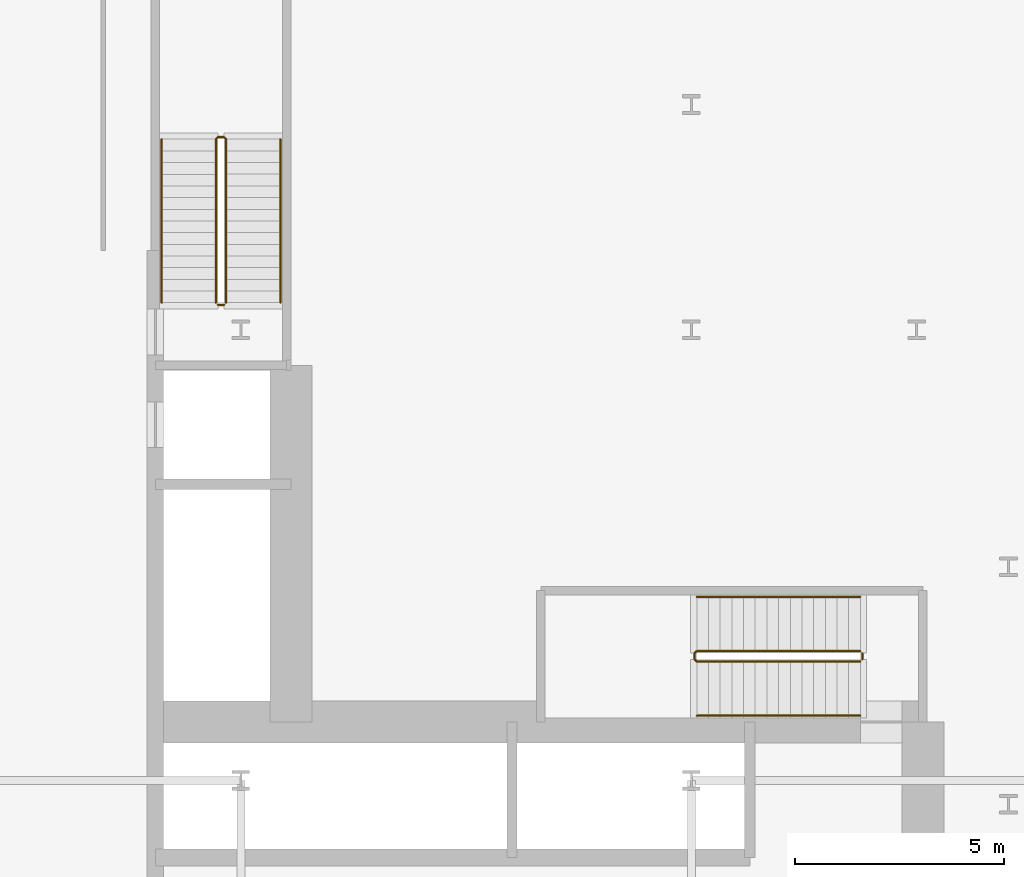
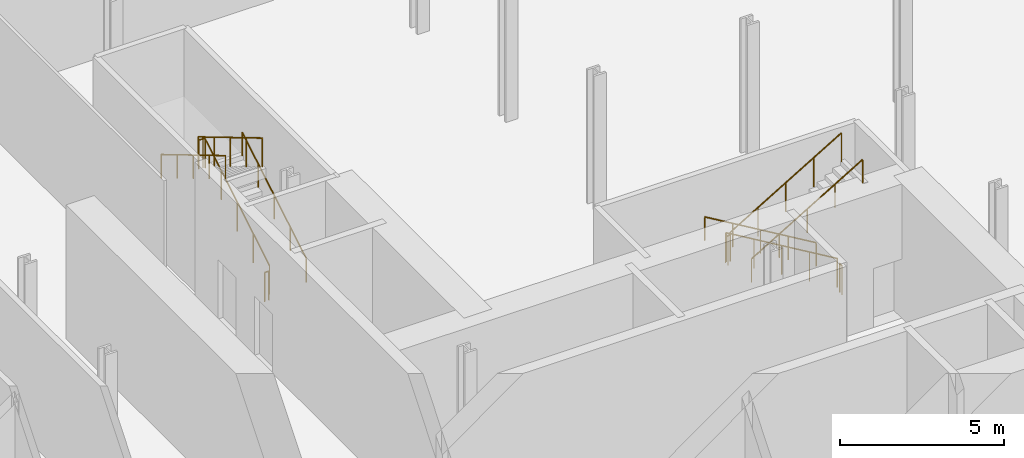
# One storey, part 39 of 47: 8 railings.
"""IFC4 building model written with IfcOpenShell, lengths in metres."""

from ifc_helpers import new_model, si_unit, direction, frame, origin, origin_2d, place, context, subcontext, project, spatial, circle, extrude, material, type_object, element, save


model = new_model("IFC4")

# Units and contexts
model_context = context("Model", 3, precision=1e-05, world=origin(), true_north=direction((0.0, 1.0)))
body_context = subcontext(model_context, "Body", "Model", "MODEL_VIEW")
ifc_project = project(units=[si_unit("LENGTHUNIT", "METRE"), si_unit("AREAUNIT", "SQUARE_METRE"), si_unit("VOLUMEUNIT", "CUBIC_METRE"), si_unit("PLANEANGLEUNIT", "RADIAN"), si_unit("MASSUNIT", "GRAM", prefix="KILO")], contexts=[model_context])

# Site, building, storey
site_placement = place(None, origin())
site = spatial("IfcSite", under=ifc_project, at=site_placement, CompositionType="ELEMENT")
building_placement = place(site_placement, origin())
building = spatial("IfcBuilding", under=site, at=building_placement, Name="Kheshtan School and Residences Tower", CompositionType="ELEMENT")
storey_placement = place(building_placement, frame((0.0, 0.0, 7.5)))
storey = spatial("IfcBuildingStorey", under=building, at=storey_placement, Name="L01", CompositionType="ELEMENT", Elevation=7.5)

# Railings
ifc_material_1 = material(Name="Stainless steel balustrade", Category="steel")
railing_type_1 = type_object("IfcRailingType", Name="Stair guard 1100", PredefinedType="GUARDRAIL", material=ifc_material_1)
railing_1_placement = place(storey_placement, frame((51.64990234375, 37.89990234375, 0.166748046875)))
element("IfcRailing", 1, at=railing_1_placement, inside=storey, type_object=railing_type_1, Name="L01 ST1 stair guard 1", PredefinedType="GUARDRAIL", context=body_context, shape_type="SweptSolid", body=[
    extrude(circle(Radius=0.02392578125, at=origin_2d()), frame((0.0, 0.0, 1.076171875), z_axis=(-0.859296244711, 0.0, 0.511478214419), x_axis=(0.0, -1.0, 0.0)), (0.0, 0.0, 1.0), 4.561767578125),
    extrude(circle(Radius=0.02392578125, at=origin_2d()), frame((-3.919921875, 0.0, 3.4091796875), z_axis=(-0.708833529934, -0.705375805398, 0.0), x_axis=(0.705375805398, -0.708833529934, 0.0)), (0.0, 0.0, 1.0), 0.070556640625),
    extrude(circle(Radius=0.02392578125, at=origin_2d()), frame((-3.969970703125, -0.0498046875, 3.4091796875), z_axis=(0.0, -1.0, 0.0), x_axis=(1.0, 0.0, 0.0)), (0.0, 0.0, 1.0), 0.150146484375),
    extrude(circle(Radius=0.02392578125, at=origin_2d()), frame((-3.969970703125, -0.199951171875, 3.4091796875), z_axis=(0.27628659633, -0.27628659633, 0.920506074601), x_axis=(0.707106781187, 0.707106781187, 0.0)), (0.0, 0.0, 1.0), 0.18115234375),
    extrude(circle(Radius=0.02392578125, at=origin_2d()), frame((-3.919921875, -0.25, 3.576171875), z_axis=(0.859296244711, 0.0, 0.511478214419), x_axis=(0.0, 1.0, 0.0)), (0.0, 0.0, 1.0), 4.561767578125),
    extrude(circle(Radius=0.02099609375, at=origin_2d()), origin(), (0.0, 0.0, 1.0), 1.052001953125),
    extrude(circle(Radius=0.02099609375, at=origin_2d()), frame((-0.97998046875, 0.0, 0.583251953125)), (0.0, 0.0, 1.0), 1.052001953125),
    extrude(circle(Radius=0.02099609375, at=origin_2d()), frame((-1.9599609375, 0.0, 1.16650390625)), (0.0, 0.0, 1.0), 1.052001953125),
    extrude(circle(Radius=0.02099609375, at=origin_2d()), frame((-2.93994140625, 0.0, 1.75)), (0.0, 0.0, 1.0), 1.052001953125),
    extrude(circle(Radius=0.02099609375, at=origin_2d()), frame((-3.919921875, 0.0, 2.333251953125)), (0.0, 0.0, 1.0), 1.052001953125),
    extrude(circle(Radius=0.02099609375, at=origin_2d()), frame((-3.969970703125, -0.0498046875, 2.333251953125)), (0.0, 0.0, 1.0), 1.052001953125),
    extrude(circle(Radius=0.02099609375, at=origin_2d()), frame((-3.969970703125, -0.199951171875, 2.333251953125)), (0.0, 0.0, 1.0), 1.052001953125),
    extrude(circle(Radius=0.02099609375, at=origin_2d()), frame((-3.919921875, -0.25, 2.5)), (0.0, 0.0, 1.0), 1.052001953125),
    extrude(circle(Radius=0.02099609375, at=origin_2d()), frame((-2.93994140625, -0.25, 3.083251953125)), (0.0, 0.0, 1.0), 1.052001953125),
    extrude(circle(Radius=0.02099609375, at=origin_2d()), frame((-1.9599609375, -0.25, 3.66650390625)), (0.0, 0.0, 1.0), 1.052001953125),
    extrude(circle(Radius=0.02099609375, at=origin_2d()), frame((-0.97998046875, -0.25, 4.25)), (0.0, 0.0, 1.0), 1.052001953125),
    extrude(circle(Radius=0.02099609375, at=origin_2d()), frame((0.0, -0.25, 4.833251953125)), (0.0, 0.0, 1.0), 1.052001953125),
])
railing_2_placement = place(storey_placement, frame((51.699951171875, 37.85009765625, 0.0)))
element("IfcRailing", 2, at=railing_2_placement, inside=storey, type_object=railing_type_1, Name="L01 ST1 stair guard 2", PredefinedType="GUARDRAIL", context=body_context, shape_type="SweptSolid", body=[
    extrude(circle(Radius=0.02392578125, at=origin_2d()), frame((0.0, 0.0, 1.076171875), z_axis=(0.0, -1.0, 0.0), x_axis=(1.0, 0.0, 0.0)), (0.0, 0.0, 1.0), 0.150146484375),
    extrude(circle(Radius=0.02099609375, at=origin_2d()), origin(), (0.0, 0.0, 1.0), 1.052001953125),
    extrude(circle(Radius=0.02099609375, at=origin_2d()), frame((0.0, -0.150146484375, 0.0)), (0.0, 0.0, 1.0), 1.052001953125),
])
railing_3_placement = place(storey_placement, frame((36.449951171875, 46.25, 0.166748046875)))
element("IfcRailing", 3, at=railing_3_placement, inside=storey, type_object=railing_type_1, Name="L01 ST2 stair guard 1", PredefinedType="GUARDRAIL", context=body_context, shape_type="SweptSolid", body=[
    extrude(circle(Radius=0.02392578125, at=origin_2d()), frame((0.0, 0.0, 1.076171875), z_axis=(0.0, 0.859296244711, 0.511478214419), x_axis=(-1.0, 0.0, 0.0)), (0.0, 0.0, 1.0), 4.561767578125),
    extrude(circle(Radius=0.02392578125, at=origin_2d()), frame((0.0, 3.919921875, 3.4091796875), z_axis=(-0.707106781187, 0.707106781187, 0.0), x_axis=(-0.707106781187, -0.707106781187, 0.0)), (0.0, 0.0, 1.0), 0.07080078125),
    extrude(circle(Radius=0.02392578125, at=origin_2d()), frame((-0.050048828125, 3.969970703125, 3.4091796875), z_axis=(-1.0, 0.0, 0.0), x_axis=(0.0, -1.0, 0.0)), (0.0, 0.0, 1.0), 0.14990234375),
    extrude(circle(Radius=0.02392578125, at=origin_2d()), frame((-0.199951171875, 3.969970703125, 3.4091796875), z_axis=(-0.27628659633, -0.27628659633, 0.920506074601), x_axis=(0.707106781187, -0.707106781187, 0.0)), (0.0, 0.0, 1.0), 0.18115234375),
    extrude(circle(Radius=0.02392578125, at=origin_2d()), frame((-0.25, 3.919921875, 3.576171875), z_axis=(0.0, -0.859296244711, 0.511478214419), x_axis=(1.0, 0.0, 0.0)), (0.0, 0.0, 1.0), 4.561767578125),
    extrude(circle(Radius=0.02099609375, at=origin_2d()), origin(), (0.0, 0.0, 1.0), 1.052001953125),
    extrude(circle(Radius=0.02099609375, at=origin_2d()), frame((0.0, 0.97998046875, 0.583251953125)), (0.0, 0.0, 1.0), 1.052001953125),
    extrude(circle(Radius=0.02099609375, at=origin_2d()), frame((0.0, 1.9599609375, 1.16650390625)), (0.0, 0.0, 1.0), 1.052001953125),
    extrude(circle(Radius=0.02099609375, at=origin_2d()), frame((0.0, 2.93994140625, 1.75)), (0.0, 0.0, 1.0), 1.052001953125),
    extrude(circle(Radius=0.02099609375, at=origin_2d()), frame((0.0, 3.919921875, 2.333251953125)), (0.0, 0.0, 1.0), 1.052001953125),
    extrude(circle(Radius=0.02099609375, at=origin_2d()), frame((-0.050048828125, 3.969970703125, 2.333251953125)), (0.0, 0.0, 1.0), 1.052001953125),
    extrude(circle(Radius=0.02099609375, at=origin_2d()), frame((-0.199951171875, 3.969970703125, 2.333251953125)), (0.0, 0.0, 1.0), 1.052001953125),
    extrude(circle(Radius=0.02099609375, at=origin_2d()), frame((-0.25, 3.919921875, 2.5)), (0.0, 0.0, 1.0), 1.052001953125),
    extrude(circle(Radius=0.02099609375, at=origin_2d()), frame((-0.25, 2.93994140625, 3.083251953125)), (0.0, 0.0, 1.0), 1.052001953125),
    extrude(circle(Radius=0.02099609375, at=origin_2d()), frame((-0.25, 1.9599609375, 3.66650390625)), (0.0, 0.0, 1.0), 1.052001953125),
    extrude(circle(Radius=0.02099609375, at=origin_2d()), frame((-0.25, 0.97998046875, 4.25)), (0.0, 0.0, 1.0), 1.052001953125),
    extrude(circle(Radius=0.02099609375, at=origin_2d()), frame((-0.25, 0.0, 4.833251953125)), (0.0, 0.0, 1.0), 1.052001953125),
])
railing_4_placement = place(storey_placement, frame((36.39990234375, 46.199951171875, 0.0)))
element("IfcRailing", 4, at=railing_4_placement, inside=storey, type_object=railing_type_1, Name="L01 ST2 stair guard 2", PredefinedType="GUARDRAIL", context=body_context, shape_type="SweptSolid", body=[
    extrude(circle(Radius=0.02392578125, at=origin_2d()), frame((0.0, 0.0, 1.076171875), z_axis=(-1.0, 0.0, 0.0), x_axis=(0.0, -1.0, 0.0)), (0.0, 0.0, 1.0), 0.14990234375),
    extrude(circle(Radius=0.02099609375, at=origin_2d()), origin(), (0.0, 0.0, 1.0), 1.052001953125),
    extrude(circle(Radius=0.02099609375, at=origin_2d()), frame((-0.14990234375, 0.0, 0.0)), (0.0, 0.0, 1.0), 1.052001953125),
])
ifc_material_2 = material(Name="Stainless steel handrail", Category="steel")
railing_type_2 = type_object("IfcRailingType", Name="Stair handrail 900", PredefinedType="HANDRAIL", material=ifc_material_2)
railing_5_placement = place(storey_placement, frame((51.64990234375, 39.199951171875, 0.166748046875)))
element("IfcRailing", 5, at=railing_5_placement, inside=storey, type_object=railing_type_2, Name="L01 ST1 stair handrail 1", PredefinedType="HANDRAIL", context=body_context, shape_type="SweptSolid", body=[
    extrude(circle(Radius=0.02392578125, at=origin_2d()), frame((0.0, 0.0, 0.8759765625), z_axis=(-0.859296244711, 0.0, 0.511478214419), x_axis=(0.0, -1.0, 0.0)), (0.0, 0.0, 1.0), 4.561767578125),
    extrude(circle(Radius=0.02099609375, at=origin_2d()), origin(), (0.0, 0.0, 1.0), 0.851806640625),
    extrude(circle(Radius=0.02099609375, at=origin_2d()), frame((-0.97998046875, 0.0, 0.583251953125)), (0.0, 0.0, 1.0), 0.851806640625),
    extrude(circle(Radius=0.02099609375, at=origin_2d()), frame((-1.9599609375, 0.0, 1.16650390625)), (0.0, 0.0, 1.0), 0.851806640625),
    extrude(circle(Radius=0.02099609375, at=origin_2d()), frame((-2.93994140625, 0.0, 1.75)), (0.0, 0.0, 1.0), 0.851806640625),
    extrude(circle(Radius=0.02099609375, at=origin_2d()), frame((-3.919921875, 0.0, 2.333251953125)), (0.0, 0.0, 1.0), 0.851806640625),
])
railing_6_placement = place(storey_placement, frame((47.72998046875, 36.35009765625, 2.666748046875)))
element("IfcRailing", 6, at=railing_6_placement, inside=storey, type_object=railing_type_2, Name="L01 ST1 stair handrail 2", PredefinedType="HANDRAIL", context=body_context, shape_type="SweptSolid", body=[
    extrude(circle(Radius=0.02392578125, at=origin_2d()), frame((0.0, 0.0, 0.8759765625), z_axis=(0.859296244711, 0.0, 0.511478214419), x_axis=(0.0, 1.0, 0.0)), (0.0, 0.0, 1.0), 4.561767578125),
    extrude(circle(Radius=0.02099609375, at=origin_2d()), origin(), (0.0, 0.0, 1.0), 0.851806640625),
    extrude(circle(Radius=0.02099609375, at=origin_2d()), frame((0.97998046875, 0.0, 0.583251953125)), (0.0, 0.0, 1.0), 0.851806640625),
    extrude(circle(Radius=0.02099609375, at=origin_2d()), frame((1.9599609375, 0.0, 1.16650390625)), (0.0, 0.0, 1.0), 0.851806640625),
    extrude(circle(Radius=0.02099609375, at=origin_2d()), frame((2.93994140625, 0.0, 1.75)), (0.0, 0.0, 1.0), 0.851806640625),
    extrude(circle(Radius=0.02099609375, at=origin_2d()), frame((3.919921875, 0.0, 2.333251953125)), (0.0, 0.0, 1.0), 0.851806640625),
])
railing_7_placement = place(storey_placement, frame((37.75, 46.25, 0.166748046875)))
element("IfcRailing", 7, at=railing_7_placement, inside=storey, type_object=railing_type_2, Name="L01 ST2 stair handrail 1", PredefinedType="HANDRAIL", context=body_context, shape_type="SweptSolid", body=[
    extrude(circle(Radius=0.02392578125, at=origin_2d()), frame((0.0, 0.0, 0.8759765625), z_axis=(0.0, 0.859296244711, 0.511478214419), x_axis=(-1.0, 0.0, 0.0)), (0.0, 0.0, 1.0), 4.561767578125),
    extrude(circle(Radius=0.02099609375, at=origin_2d()), origin(), (0.0, 0.0, 1.0), 0.851806640625),
    extrude(circle(Radius=0.02099609375, at=origin_2d()), frame((0.0, 0.97998046875, 0.583251953125)), (0.0, 0.0, 1.0), 0.851806640625),
    extrude(circle(Radius=0.02099609375, at=origin_2d()), frame((0.0, 1.9599609375, 1.16650390625)), (0.0, 0.0, 1.0), 0.851806640625),
    extrude(circle(Radius=0.02099609375, at=origin_2d()), frame((0.0, 2.93994140625, 1.75)), (0.0, 0.0, 1.0), 0.851806640625),
    extrude(circle(Radius=0.02099609375, at=origin_2d()), frame((0.0, 3.919921875, 2.333251953125)), (0.0, 0.0, 1.0), 0.851806640625),
])
railing_8_placement = place(storey_placement, frame((34.89990234375, 50.169921875, 2.666748046875)))
element("IfcRailing", 8, at=railing_8_placement, inside=storey, type_object=railing_type_2, Name="L01 ST2 stair handrail 2", PredefinedType="HANDRAIL", context=body_context, shape_type="SweptSolid", body=[
    extrude(circle(Radius=0.02392578125, at=origin_2d()), frame((0.0, 0.0, 0.8759765625), z_axis=(0.0, -0.859296244711, 0.511478214419), x_axis=(1.0, 0.0, 0.0)), (0.0, 0.0, 1.0), 4.561767578125),
    extrude(circle(Radius=0.02099609375, at=origin_2d()), origin(), (0.0, 0.0, 1.0), 0.851806640625),
    extrude(circle(Radius=0.02099609375, at=origin_2d()), frame((0.0, -0.97998046875, 0.583251953125)), (0.0, 0.0, 1.0), 0.851806640625),
    extrude(circle(Radius=0.02099609375, at=origin_2d()), frame((0.0, -1.9599609375, 1.16650390625)), (0.0, 0.0, 1.0), 0.851806640625),
    extrude(circle(Radius=0.02099609375, at=origin_2d()), frame((0.0, -2.93994140625, 1.75)), (0.0, 0.0, 1.0), 0.851806640625),
    extrude(circle(Radius=0.02099609375, at=origin_2d()), frame((0.0, -3.919921875, 2.333251953125)), (0.0, 0.0, 1.0), 0.851806640625),
])

save(model, "model.ifc")
